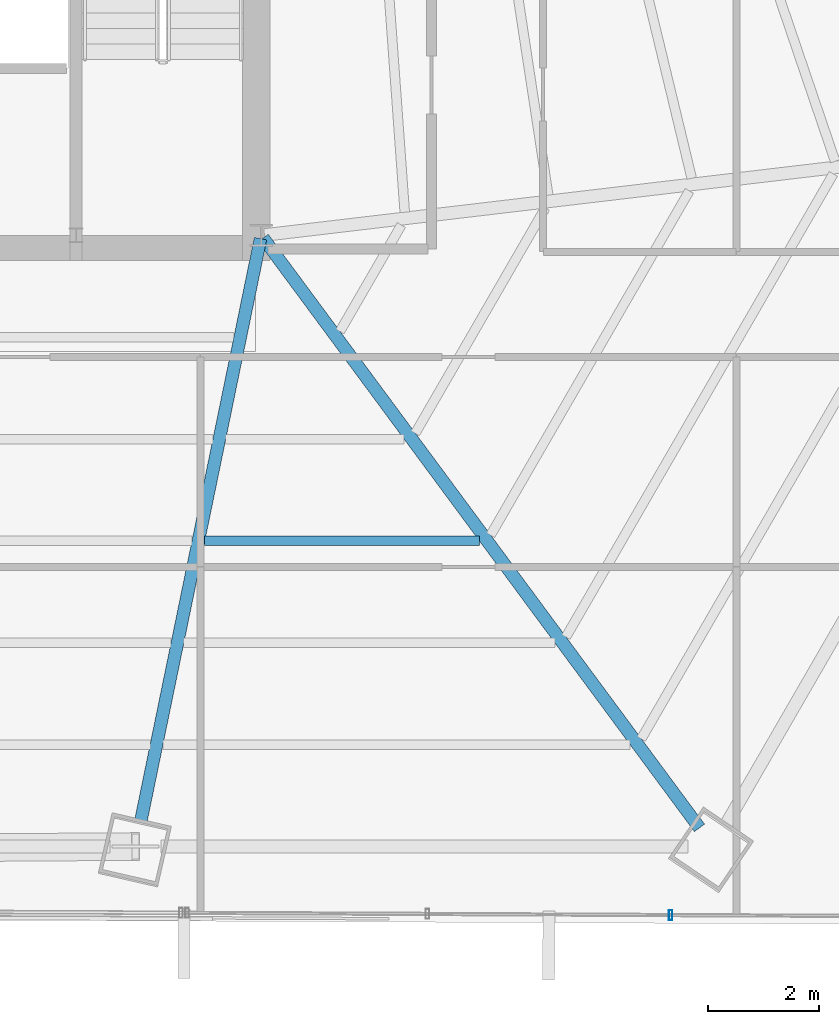
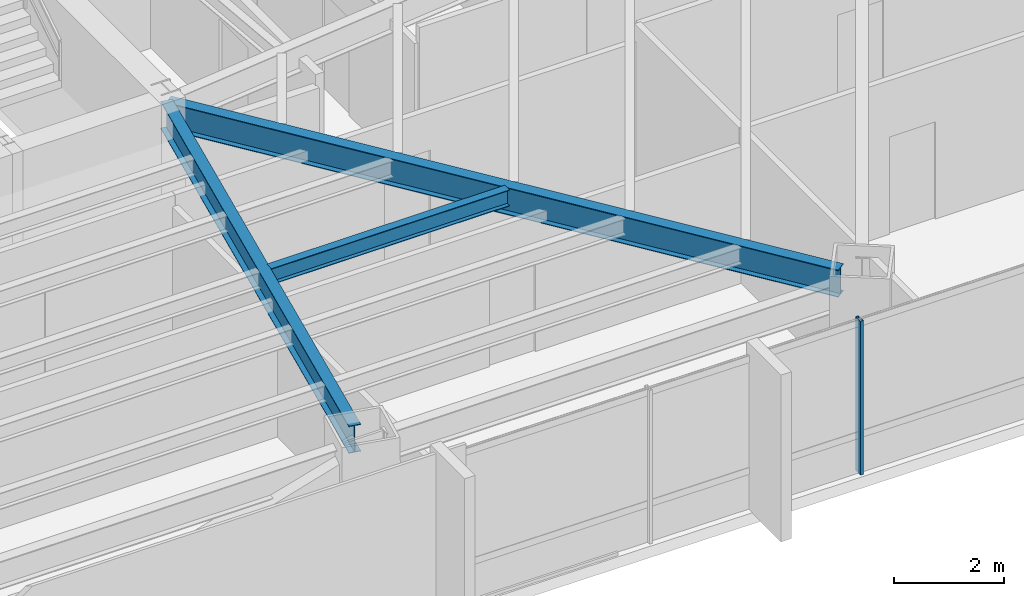
# One storey, part 16 of 37: 3 beams, 1 member, 1 element without a shape of its own.
"""IFC4 building model written with IfcOpenShell, lengths in metres."""

from ifc_helpers import new_model, si_unit, direction, frame, origin, origin_2d, place, context, subcontext, project, spatial, hollow_rectangle, i_section, extrude, source, transform, mapped, material, material_profile, profile_set, type_object, type_shapes, element, aggregate, save


model = new_model("IFC4")

# Units and contexts
model_context = context("Model", 3, precision=1e-05, world=origin(), true_north=direction((0.0, 1.0)))
body_context = subcontext(model_context, "Body", "Model", "MODEL_VIEW")
ifc_project = project(units=[si_unit("LENGTHUNIT", "METRE"), si_unit("AREAUNIT", "SQUARE_METRE"), si_unit("VOLUMEUNIT", "CUBIC_METRE"), si_unit("PLANEANGLEUNIT", "RADIAN"), si_unit("MASSUNIT", "GRAM", prefix="KILO")], contexts=[model_context])

# Site, building, storey
site_placement = place(None, origin())
site = spatial("IfcSite", under=ifc_project, at=site_placement, CompositionType="ELEMENT")
building_placement = place(site_placement, origin())
building = spatial("IfcBuilding", under=site, at=building_placement, Name="Caelisora Broadcast Tower", CompositionType="ELEMENT")
storey_placement = place(building_placement, frame((0.0, 0.0, 101.75)))
storey = spatial("IfcBuildingStorey", under=building, at=storey_placement, Name="L26", CompositionType="ELEMENT", Elevation=101.75)

# Beams
ifc_material_1 = material(Name="Steel Grade 350 (AS/NZS 3679.1)", Category="steel")
ifc_material_profile_1 = material_profile(ifc_material_1, i_section(OverallWidth=0.22802734375, OverallDepth=0.602294921875, WebThickness=0.010498046875, FlangeThickness=0.014892578125, at=origin_2d()), Name="Steel Grade 350 (AS/NZS 3679.1)")
ifc_profile_set_1 = profile_set([ifc_material_profile_1], Name="Steel Grade 350 (AS/NZS 3679.1)")
beam_type_1 = type_object("IfcBeamType", Name="PG04", PredefinedType="BEAM", material=ifc_profile_set_1)
shared_shape_1 = source(origin(), body_context, "Body", "SweptSolid", [
    extrude(i_section(OverallWidth=0.22802734375, OverallDepth=0.602294921875, WebThickness=0.010498046875, FlangeThickness=0.014892578125, at=origin_2d()), origin(), (0.0, 0.0, 1.0), 13.275634765625),
])
beam_1_placement = place(storey_placement, frame((45.53564453125, 17.351806640625, 3.098876953125), z_axis=(0.594681622294, -0.803961297642, 0.0), x_axis=(0.803961297642, 0.594681622294, 0.0)))
element("IfcBeam", 1, at=beam_1_placement, inside=storey, type_object=beam_type_1, Name="L26 beam PG04", PredefinedType="BEAM", context=body_context, shape_type="MappedRepresentation", body=[
    mapped(shared_shape_1, transform((0.0, 0.0, 0.0), scale=1.0)),
])
shared_shape_2 = source(origin(), body_context, "Body", "SweptSolid", [
    extrude(i_section(OverallWidth=0.22802734375, OverallDepth=0.602294921875, WebThickness=0.010498046875, FlangeThickness=0.014892578125, at=origin_2d()), origin(), (0.0, 0.0, 1.0), 10.810302734375),
])
type_shapes(beam_type_1, [shared_shape_1, shared_shape_2])
beam_2_placement = place(storey_placement, frame((45.48779296875, 17.34130859375, 3.098876953125), z_axis=(-0.201338118408, -0.979521802757, 0.0), x_axis=(0.979521802757, -0.201338118408, 0.0)))
element("IfcBeam", 2, at=beam_2_placement, inside=storey, type_object=beam_type_1, Name="L26 beam PG04", PredefinedType="BEAM", context=body_context, shape_type="MappedRepresentation", body=[
    mapped(shared_shape_2, transform((0.0, 0.0, 0.0), scale=1.0)),
])
ifc_material_profile_2 = material_profile(ifc_material_1, i_section(OverallWidth=0.172119140625, OverallDepth=0.358642578125, WebThickness=0.008056640625, FlangeThickness=0.012939453125, at=origin_2d()), Name="Steel Grade 350 (AS/NZS 3679.1)")
ifc_profile_set_2 = profile_set([ifc_material_profile_2], Name="Steel Grade 350 (AS/NZS 3679.1)")
beam_type_2 = type_object("IfcBeamType", Name="SB02", PredefinedType="JOIST", material=ifc_profile_set_2)
shared_shape_3 = source(origin(), body_context, "Body", "SweptSolid", [
    extrude(i_section(OverallWidth=0.172119140625, OverallDepth=0.358642578125, WebThickness=0.008056640625, FlangeThickness=0.012939453125, at=origin_2d()), origin(), (0.0, 0.0, 1.0), 4.974609375),
])
type_shapes(beam_type_2, [shared_shape_3])
beam_3_placement = place(storey_placement, frame((44.476806640625, 11.87060546875, 3.220703125), z_axis=(1.0, 0.0, 0.0), x_axis=(0.0, 1.0, 0.0)))
element("IfcBeam", 3, at=beam_3_placement, inside=storey, type_object=beam_type_2, Name="L26 beam SB02", PredefinedType="JOIST", context=body_context, shape_type="MappedRepresentation", body=[
    mapped(shared_shape_3, transform((0.0, 0.0, 0.0), scale=1.0)),
])

# Curtain wall, member
ifc_material_2 = material(Name="Unitised Aluminium and Low-E Glass Curtain Wall", Category="glass")
curtain_wall_type = type_object("IfcCurtainWallType", Name="CW-Z2", PredefinedType="NOTDEFINED", material=ifc_material_2)
curtain_wall_placement = place(storey_placement, origin())
curtain_wall = element("IfcCurtainWall", 4, at=curtain_wall_placement, inside=storey, type_object=curtain_wall_type, Name="L26 curtain wall CW-Z2", PredefinedType="NOTDEFINED")
ifc_material_3 = material(Name="Aluminium 6063-T6 Anodised Terracotta Bronze", Category="aluminium")
ifc_material_profile_3 = material_profile(ifc_material_3, hollow_rectangle(XDim=0.06494140625, YDim=0.179931640625, WallThickness=0.00341796875, at=origin_2d()), Name="Aluminium 6063-T6 Anodised Terracotta Bronze")
ifc_profile_set_3 = profile_set([ifc_material_profile_3], Name="Aluminium 6063-T6 Anodised Terracotta Bronze")
member_type = type_object("IfcMemberType", Name="CWM-02", PredefinedType="MULLION", material=ifc_profile_set_3)
shared_shape_4 = source(origin(), body_context, "Body", "SweptSolid", [
    extrude(hollow_rectangle(XDim=0.06494140625, YDim=0.179931640625, WallThickness=0.00341796875, at=origin_2d()), origin(), (0.0, 0.0, 1.0), 3.39990234375),
])
type_shapes(member_type, [shared_shape_4])
member_placement = place(storey_placement, frame((52.90869140625, 5.10107421875, 0.0), z_axis=(0.0, 0.0, 1.0), x_axis=(1.0, 0.0, 0.0)))
member = element("IfcMember", 5, at=member_placement, type_object=member_type, Name="L26-CW-B05 mullion #1", PredefinedType="MULLION", context=body_context, shape_type="MappedRepresentation", body=[
    mapped(shared_shape_4, transform((0.0, 0.0, 0.0), scale=1.0)),
])
aggregate(curtain_wall, [member])

save(model, "model.ifc")
